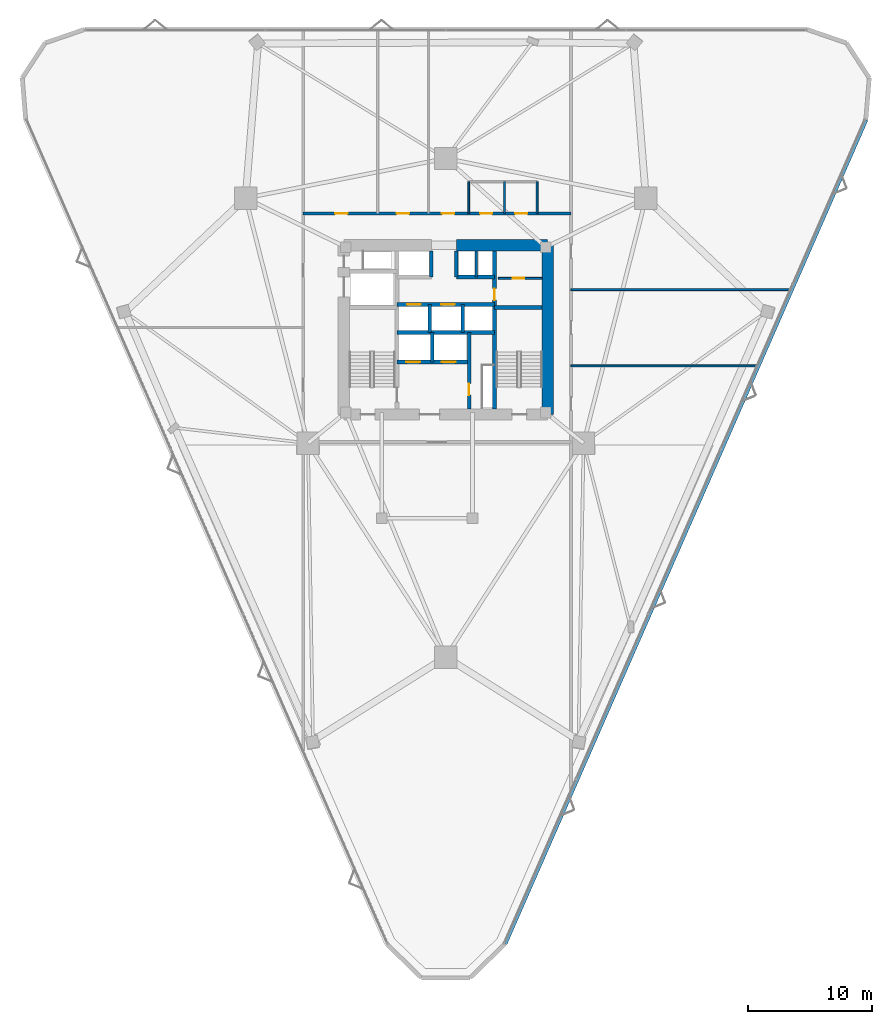
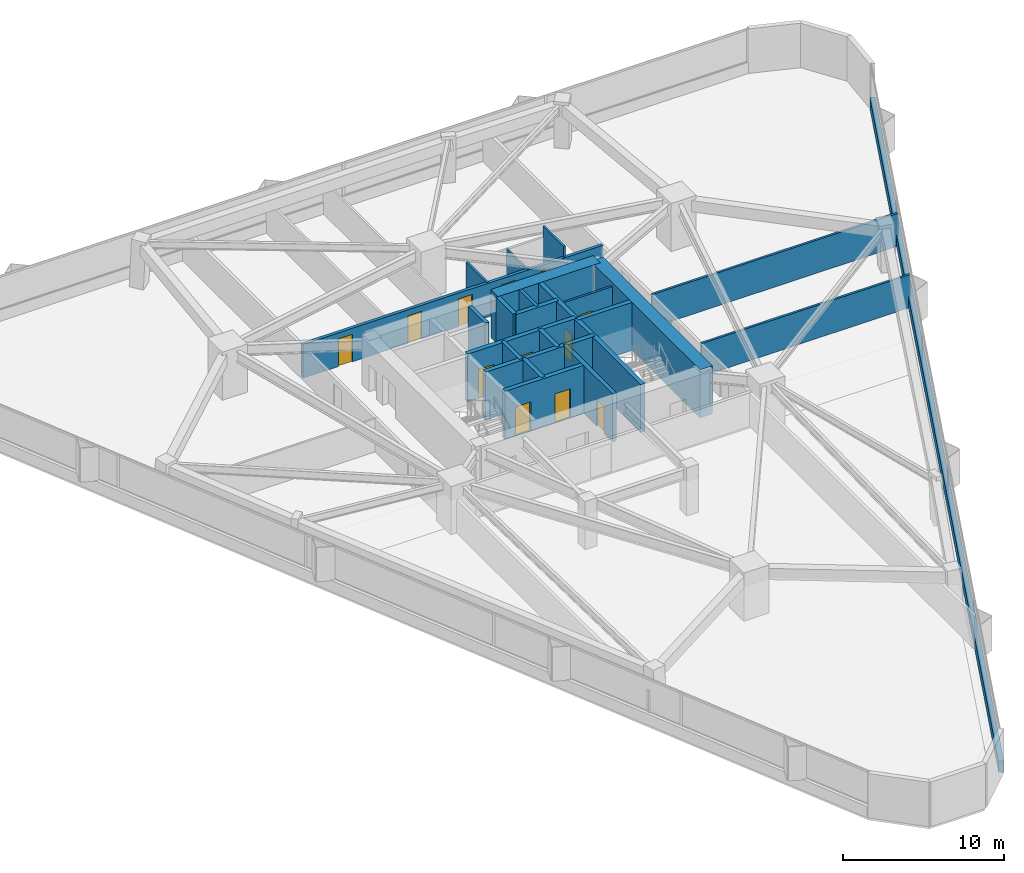
# One storey, part 18 of 21: 23 walls, 12 doors, 12 openings.
"""IFC4 building model written with IfcOpenShell, lengths in metres."""

from ifc_helpers import new_model, si_unit, direction, frame, frame_2d, origin, place, context, subcontext, project, spatial, rectangle, extrude, material, layer, layer_set, type_object, element, fill, save


model = new_model("IFC4")

# Units and contexts
model_context = context("Model", 3, precision=1e-05, world=origin(), true_north=direction((0.0, 1.0)))
body_context = subcontext(model_context, "Body", "Model", "MODEL_VIEW")
ifc_project = project(units=[si_unit("LENGTHUNIT", "METRE"), si_unit("AREAUNIT", "SQUARE_METRE"), si_unit("VOLUMEUNIT", "CUBIC_METRE"), si_unit("PLANEANGLEUNIT", "RADIAN"), si_unit("MASSUNIT", "GRAM", prefix="KILO")], contexts=[model_context])

# Site, building, storey
site_placement = place(None, origin())
site = spatial("IfcSite", under=ifc_project, at=site_placement, CompositionType="ELEMENT")
building_placement = place(site_placement, origin())
building = spatial("IfcBuilding", under=site, at=building_placement, Name="Talyreon Biosciences Tower", CompositionType="ELEMENT")
storey_placement = place(building_placement, frame((0.0, 0.0, 33.75)))
storey = spatial("IfcBuildingStorey", under=building, at=storey_placement, Name="L08", CompositionType="ELEMENT", Elevation=33.75)

# Walls
ifc_material_1 = material(Name="Concrete C50/60", Category="concrete")
ifc_layer_1 = layer(ifc_material_1, 0.219970703125)
ifc_layer_set_1 = layer_set([ifc_layer_1], Name="Concrete C50/60")
wall_type_1 = type_object("IfcWallType", Name="CoreShearWall_220", PredefinedType="SHEAR", material=ifc_layer_set_1)
wall_1_placement = place(storey_placement, frame((68.4599609375, 72.25, 0.0), z_axis=(0.0, 0.0, 1.0), x_axis=(0.0, 1.0, 0.0)))
element("IfcWall", 1, at=wall_1_placement, inside=storey, type_object=wall_type_1, Name="L08 Core Shaft Wall SWPHD", PredefinedType="SHEAR", context=body_context, shape_type="SweptSolid", body=[
    extrude(rectangle(XDim=2.10009765625, YDim=0.219970703125, at=frame_2d((1.050048828125, 0.0))), origin(), (0.0, 0.0, 1.0), 3.64990234375),
])
ifc_layer_2 = layer(ifc_material_1, 0.280029296875)
ifc_layer_set_2 = layer_set([ifc_layer_2], Name="Concrete C50/60")
wall_type_2 = type_object("IfcWallType", Name="CoreShearWall_280", PredefinedType="SHEAR", material=ifc_layer_set_2)
wall_2_placement = place(storey_placement, frame((64.919921875, 65.39990234375, 0.0), z_axis=(0.0, 0.0, 1.0), x_axis=(0.0, 1.0, 0.0)))
element("IfcWall", 2, at=wall_2_placement, inside=storey, type_object=wall_type_2, Name="L08 Core Shaft Wall SWSHD1", PredefinedType="SHEAR", context=body_context, shape_type="SweptSolid", body=[
    extrude(rectangle(XDim=2.400146484375, YDim=0.280029296875, at=frame_2d((1.2001953125, 0.0))), origin(), (0.0, 0.0, 1.0), 3.64990234375),
])
for number, where, z_axis, x_axis, name in (
    (3, (64.85009765625, 72.25, 0.0), (0.0, 0.0, 1.0), (0.0, 1.0, 0.0), "L08 Core Shaft Wall SWTHW"),
    (4, (66.85009765625, 72.25, 0.0), (0.0, 0.0, 1.0), (0.0, 1.0, 0.0), "L08 Core Shaft Wall SWTHE"),
):
    element("IfcWall", number, at=place(storey_placement, frame(where, z_axis=z_axis, x_axis=x_axis)), inside=storey, type_object=wall_type_2, Name=name, PredefinedType="SHEAR", context=body_context, shape_type="SweptSolid", body=[
        extrude(rectangle(XDim=2.10009765625, YDim=0.280029296875, at=frame_2d((1.050048828125, 0.0))), origin(), (0.0, 0.0, 1.0), 3.64990234375),
    ])

# Wall, opening, door
wall_3_placement = place(storey_placement, frame((67.8798828125, 61.64990234375, 0.0), z_axis=(0.0, 0.0, 1.0), x_axis=(0.0, 1.0, 0.0)))
wall_3 = element("IfcWall", 5, at=wall_3_placement, inside=storey, type_object=wall_type_2, Name="L08 Core Shaft Wall SWFFE", PredefinedType="SHEAR", context=body_context, shape_type="SweptSolid", body=[
    extrude(rectangle(XDim=6.150146484375, YDim=0.280029296875, at=frame_2d((3.0751953125, 0.0))), origin(), (0.0, 0.0, 1.0), 3.64990234375),
])
opening_1_placement = place(wall_3_placement, frame((1.10009765625, 0.0, 0.0)))
opening_1 = element("IfcOpeningElement", 6, at=opening_1_placement, cuts=wall_3, Name="Opening DR-L08-RSE", PredefinedType="OPENING", context=body_context, shape_type="SweptSolid", body=[
    extrude(rectangle(XDim=0.919921875, YDim=2.050048828125, at=frame_2d((0.4599609375, 1.02490234375))), frame((0.0, 0.14990234375, 0.0), z_axis=(0.0, -1.0, 0.0), x_axis=(1.0, 0.0, 0.0)), (0.0, 0.0, 1.0), 0.300048828125),
])
ifc_material_2 = material(Name="Painted steel fire-rated riser door", Category="steel")
door_type_1 = type_object("IfcDoorType", Name="RiserPlantAccessDoor_920x2050", OperationType="NOTDEFINED", PredefinedType="DOOR", material=ifc_material_2)
door_1_placement = place(opening_1_placement, origin())
door_1 = element("IfcDoor", 7, at=door_1_placement, inside=storey, type_object=door_type_1, Name="L08 Core Door DR-L08-RSE", OperationType="SINGLE_SWING_RIGHT", OverallHeight=2.050048828125, OverallWidth=0.919921875, PredefinedType="DOOR", context=body_context, shape_type="SweptSolid", body=[
    extrude(rectangle(XDim=0.919921875, YDim=2.050048828125, at=frame_2d((0.4599609375, 1.02490234375))), frame((0.0, 0.02490234375, 0.0), z_axis=(0.0, -1.0, 0.0), x_axis=(1.0, 0.0, 0.0)), (0.0, 0.0, 1.0), 0.050048828125),
])
fill(opening_1, door_1)

# Walls
for number, where, z_axis, x_axis, name in (
    (8, (64.719970703125, 67.800048828125, 0.0), (0.0, 0.0, 1.0), (0.0, 1.0, 0.0), "L08 Core Shaft Wall SWPLD"),
    (9, (67.3798828125, 67.800048828125, 0.0), (0.0, 0.0, 1.0), (0.0, 1.0, 0.0), "L08 Core Shaft Wall SWPMD"),
):
    element("IfcWall", number, at=place(storey_placement, frame(where, z_axis=z_axis, x_axis=x_axis)), inside=storey, type_object=wall_type_2, Name=name, PredefinedType="SHEAR", context=body_context, shape_type="SweptSolid", body=[
        extrude(rectangle(XDim=2.25, YDim=0.280029296875, at=frame_2d((1.125, 0.0))), origin(), (0.0, 0.0, 1.0), 3.64990234375),
    ])

# Wall, opening, door
ifc_layer_3 = layer(ifc_material_1, 0.320068359375)
ifc_layer_set_3 = layer_set([ifc_layer_3], Name="Concrete C50/60")
wall_type_3 = type_object("IfcWallType", Name="CoreShearWall_320", PredefinedType="SHEAR", material=ifc_layer_set_3)
wall_4_placement = place(storey_placement, frame((69.909912109375, 61.64990234375, 0.0), z_axis=(0.0, 0.0, 1.0), x_axis=(0.0, 1.0, 0.0)))
wall_4 = element("IfcWall", 10, at=wall_4_placement, inside=storey, type_object=wall_type_3, Name="L08 Core Shaft Wall SW2W", PredefinedType="SHEAR", context=body_context, shape_type="SweptSolid", body=[
    extrude(rectangle(XDim=12.7001953125, YDim=0.320068359375, at=frame_2d((6.35009765625, 0.0))), origin(), (0.0, 0.0, 1.0), 3.64990234375),
])
opening_2_placement = place(wall_4_placement, frame((8.75, 0.0, 0.0)))
opening_2 = element("IfcOpeningElement", 11, at=opening_2_placement, cuts=wall_4, Name="Opening DR-L08-CSRV", PredefinedType="OPENING", context=body_context, shape_type="SweptSolid", body=[
    extrude(rectangle(XDim=0.919921875, YDim=2.050048828125, at=frame_2d((0.4599609375, 1.02490234375))), frame((0.0, 0.169921875, 0.0), z_axis=(0.0, -1.0, 0.0), x_axis=(1.0, 0.0, 0.0)), (0.0, 0.0, 1.0), 0.340087890625),
])
door_2_placement = place(opening_2_placement, origin())
door_2 = element("IfcDoor", 12, at=door_2_placement, inside=storey, type_object=door_type_1, Name="L08 Core Door DR-L08-CSRV", OperationType="SINGLE_SWING_RIGHT", OverallHeight=2.050048828125, OverallWidth=0.919921875, PredefinedType="DOOR", context=body_context, shape_type="SweptSolid", body=[
    extrude(rectangle(XDim=0.919921875, YDim=2.050048828125, at=frame_2d((0.4599609375, 1.02490234375))), frame((0.0, 0.02490234375, 0.0), z_axis=(0.0, -1.0, 0.0), x_axis=(1.0, 0.0, 0.0)), (0.0, 0.0, 1.0), 0.050048828125),
])
fill(opening_2, door_2)

# Walls
wall_5_placement = place(storey_placement, frame((69.909912109375, 69.81005859375, 0.0), z_axis=(0.0, 0.0, 1.0), x_axis=(1.0, 0.0, 0.0)))
element("IfcWall", 13, at=wall_5_placement, inside=storey, type_object=wall_type_3, Name="L08 Core Shaft Wall SW2N", PredefinedType="SHEAR", context=body_context, shape_type="SweptSolid", body=[
    extrude(rectangle(XDim=3.840087890625, YDim=0.320068359375, at=frame_2d((1.919921875, 0.0))), origin(), (0.0, 0.0, 1.0), 3.64990234375),
])
wall_6_placement = place(storey_placement, frame((62.090087890625, 67.800048828125, 0.0), z_axis=(0.0, 0.0, 1.0), x_axis=(1.0, 0.0, 0.0)))
element("IfcWall", 14, at=wall_6_placement, inside=storey, type_object=wall_type_3, Name="L08 Core Shaft Wall SWSHM", PredefinedType="SHEAR", context=body_context, shape_type="SweptSolid", body=[
    extrude(rectangle(XDim=7.81982421875, YDim=0.320068359375, at=frame_2d((3.909912109375, 0.0))), origin(), (0.0, 0.0, 1.0), 3.64990234375),
])

# Wall, openings, doors
wall_7_placement = place(storey_placement, frame((62.090087890625, 70.050048828125, 0.0), z_axis=(0.0, 0.0, 1.0), x_axis=(1.0, 0.0, 0.0)))
wall_7 = element("IfcWall", 15, at=wall_7_placement, inside=storey, type_object=wall_type_3, Name="L08 Core Shaft Wall SWSPN", PredefinedType="SHEAR", context=body_context, shape_type="SweptSolid", body=[
    extrude(rectangle(XDim=7.81982421875, YDim=0.320068359375, at=frame_2d((3.909912109375, 0.0))), origin(), (0.0, 0.0, 1.0), 3.64990234375),
])
opening_3_placement = place(wall_7_placement, frame((0.800048828125, 0.0, 0.0)))
opening_3 = element("IfcOpeningElement", 16, at=opening_3_placement, cuts=wall_7, Name="Opening LD-L08-PL1", PredefinedType="OPENING", context=body_context, shape_type="SweptSolid", body=[
    extrude(rectangle(XDim=1.10009765625, YDim=2.199951171875, at=frame_2d((0.550048828125, 1.10009765625))), frame((0.0, 0.169921875, 0.0), z_axis=(0.0, -1.0, 0.0), x_axis=(1.0, 0.0, 0.0)), (0.0, 0.0, 1.0), 0.340087890625),
])
opening_4_placement = place(wall_7_placement, frame((3.550048828125, 0.0, 0.0)))
opening_4 = element("IfcOpeningElement", 17, at=opening_4_placement, cuts=wall_7, Name="Opening LD-L08-PL2", PredefinedType="OPENING", context=body_context, shape_type="SweptSolid", body=[
    extrude(rectangle(XDim=1.10009765625, YDim=2.199951171875, at=frame_2d((0.550048828125, 1.10009765625))), frame((0.0, 0.169921875, 0.0), z_axis=(0.0, -1.0, 0.0), x_axis=(1.0, 0.0, 0.0)), (0.0, 0.0, 1.0), 0.340087890625),
])
ifc_material_3 = material(Name="Brushed stainless-steel lift landing door", Category="steel")
door_type_2 = type_object("IfcDoorType", Name="LiftSlidingLandingDoor_1100x2200", OperationType="SLIDING_TO_LEFT", PredefinedType="DOOR", material=ifc_material_3)
door_3_placement = place(opening_3_placement, origin())
door_3 = element("IfcDoor", 18, at=door_3_placement, inside=storey, type_object=door_type_2, Name="L08 Core Door LD-L08-PL1", OperationType="SLIDING_TO_LEFT", OverallHeight=2.199951171875, OverallWidth=1.10009765625, PredefinedType="DOOR", context=body_context, shape_type="SweptSolid", body=[
    extrude(rectangle(XDim=1.10009765625, YDim=2.199951171875, at=frame_2d((0.550048828125, 1.10009765625))), frame((0.0, 0.02490234375, 0.0), z_axis=(0.0, -1.0, 0.0), x_axis=(1.0, 0.0, 0.0)), (0.0, 0.0, 1.0), 0.050048828125),
])
fill(opening_3, door_3)
door_4_placement = place(opening_4_placement, origin())
door_4 = element("IfcDoor", 19, at=door_4_placement, inside=storey, type_object=door_type_2, Name="L08 Core Door LD-L08-PL2", OperationType="SLIDING_TO_LEFT", OverallHeight=2.199951171875, OverallWidth=1.10009765625, PredefinedType="DOOR", context=body_context, shape_type="SweptSolid", body=[
    extrude(rectangle(XDim=1.10009765625, YDim=2.199951171875, at=frame_2d((0.550048828125, 1.10009765625))), frame((0.0, 0.02490234375, 0.0), z_axis=(0.0, -1.0, 0.0), x_axis=(1.0, 0.0, 0.0)), (0.0, 0.0, 1.0), 0.050048828125),
])
fill(opening_4, door_4)

# Wall
wall_8_placement = place(storey_placement, frame((66.85009765625, 72.25, 0.0), z_axis=(0.0, 0.0, 1.0), x_axis=(1.0, 0.0, 0.0)))
element("IfcWall", 20, at=wall_8_placement, inside=storey, type_object=wall_type_3, Name="L08 Core Shaft Wall SWNPE", PredefinedType="SHEAR", context=body_context, shape_type="SweptSolid", body=[
    extrude(rectangle(XDim=3.059814453125, YDim=0.320068359375, at=frame_2d((1.52978515625, 0.0))), origin(), (0.0, 0.0, 1.0), 3.64990234375),
])

# Wall, openings, doors
wall_9_placement = place(storey_placement, frame((62.090087890625, 65.39990234375, 0.0), z_axis=(0.0, 0.0, 1.0), x_axis=(1.0, 0.0, 0.0)))
wall_9 = element("IfcWall", 21, at=wall_9_placement, inside=storey, type_object=wall_type_3, Name="L08 Core Shaft Wall SWFFN", PredefinedType="SHEAR", context=body_context, shape_type="SweptSolid", body=[
    extrude(rectangle(XDim=5.789794921875, YDim=0.320068359375, at=frame_2d((2.89501953125, 0.0))), origin(), (0.0, 0.0, 1.0), 3.64990234375),
])
opening_5_placement = place(wall_9_placement, frame((0.75, 0.0, 0.0)))
opening_5 = element("IfcOpeningElement", 22, at=opening_5_placement, cuts=wall_9, Name="Opening LD-L08-FL1", PredefinedType="OPENING", context=body_context, shape_type="SweptSolid", body=[
    extrude(rectangle(XDim=1.10009765625, YDim=2.199951171875, at=frame_2d((0.550048828125, 1.10009765625))), frame((0.0, 0.169921875, 0.0), z_axis=(0.0, -1.0, 0.0), x_axis=(1.0, 0.0, 0.0)), (0.0, 0.0, 1.0), 0.340087890625),
])
opening_6_placement = place(wall_9_placement, frame((3.60009765625, 0.0, 0.0)))
opening_6 = element("IfcOpeningElement", 23, at=opening_6_placement, cuts=wall_9, Name="Opening LD-L08-FL2", PredefinedType="OPENING", context=body_context, shape_type="SweptSolid", body=[
    extrude(rectangle(XDim=1.10009765625, YDim=2.199951171875, at=frame_2d((0.550048828125, 1.10009765625))), frame((0.0, 0.169921875, 0.0), z_axis=(0.0, -1.0, 0.0), x_axis=(1.0, 0.0, 0.0)), (0.0, 0.0, 1.0), 0.340087890625),
])
door_5_placement = place(opening_5_placement, origin())
door_5 = element("IfcDoor", 24, at=door_5_placement, inside=storey, type_object=door_type_2, Name="L08 Core Door LD-L08-FL1", OperationType="SLIDING_TO_LEFT", OverallHeight=2.199951171875, OverallWidth=1.10009765625, PredefinedType="DOOR", context=body_context, shape_type="SweptSolid", body=[
    extrude(rectangle(XDim=1.10009765625, YDim=2.199951171875, at=frame_2d((0.550048828125, 1.10009765625))), frame((0.0, 0.02490234375, 0.0), z_axis=(0.0, -1.0, 0.0), x_axis=(1.0, 0.0, 0.0)), (0.0, 0.0, 1.0), 0.050048828125),
])
fill(opening_5, door_5)
door_6_placement = place(opening_6_placement, origin())
door_6 = element("IfcDoor", 25, at=door_6_placement, inside=storey, type_object=door_type_2, Name="L08 Core Door LD-L08-FL2", OperationType="SLIDING_TO_LEFT", OverallHeight=2.199951171875, OverallWidth=1.10009765625, PredefinedType="DOOR", context=body_context, shape_type="SweptSolid", body=[
    extrude(rectangle(XDim=1.10009765625, YDim=2.199951171875, at=frame_2d((0.550048828125, 1.10009765625))), frame((0.0, 0.02490234375, 0.0), z_axis=(0.0, -1.0, 0.0), x_axis=(1.0, 0.0, 0.0)), (0.0, 0.0, 1.0), 0.050048828125),
])
fill(opening_6, door_6)

# Walls
ifc_material_4 = material(Name="Concrete C60/75", Category="concrete")
ifc_layer_4 = layer(ifc_material_4, 0.89990234375)
ifc_layer_set_4 = layer_set([ifc_layer_4], Name="Concrete C60/75")
wall_type_4 = type_object("IfcWallType", Name="CoreShearWall_900", PredefinedType="SHEAR", material=ifc_layer_set_4)
wall_10_placement = place(storey_placement, frame((74.199951171875, 61.199951171875, 0.0), z_axis=(0.0, 0.0, 1.0), x_axis=(0.0, 1.0, 0.0)))
element("IfcWall", 26, at=wall_10_placement, inside=storey, type_object=wall_type_4, Name="L08 Core Shear Wall E", PredefinedType="SHEAR", context=body_context, shape_type="SweptSolid", body=[
    extrude(rectangle(XDim=13.60009765625, YDim=0.89990234375, at=frame_2d((6.800048828125, 0.0))), origin(), (0.0, 0.0, 1.0), 3.64990234375),
])
wall_11_placement = place(storey_placement, frame((74.199951171875, 74.800048828125, 0.0), z_axis=(0.0, 0.0, 1.0), x_axis=(-1.0, 0.0, 0.0)))
element("IfcWall", 27, at=wall_11_placement, inside=storey, type_object=wall_type_4, Name="L08 Core Shear Wall NE", PredefinedType="SHEAR", context=body_context, shape_type="SweptSolid", body=[
    extrude(rectangle(XDim=7.349853515625, YDim=0.89990234375, at=frame_2d((3.6748046875, 0.0))), origin(), (0.0, 0.0, 1.0), 3.64990234375),
])

# Wall, openings, doors
ifc_material_5 = material(Name="Gypsum fireboard acoustic stud", Category="gypsum")
ifc_layer_5 = layer(ifc_material_5, 0.219970703125)
ifc_layer_set_5 = layer_set([ifc_layer_5], Name="Gypsum fireboard acoustic stud")
wall_type_5 = type_object("IfcWallType", Name="CorridorRatedPartition_220", PredefinedType="PARTITIONING", material=ifc_layer_set_5)
wall_12_placement = place(storey_placement, frame((54.530029296875, 77.3701171875, 0.0), z_axis=(0.0, 0.0, 1.0), x_axis=(1.0, 0.0, 0.0)))
wall_12 = element("IfcWall", 28, at=wall_12_placement, inside=storey, type_object=wall_type_5, Name="L08 Interior Wall IW-L08-COR-N", PredefinedType="PARTITIONING", context=body_context, shape_type="SweptSolid", body=[
    extrude(rectangle(XDim=21.5400390625, YDim=0.219970703125, at=frame_2d((10.77001953125, 0.0))), origin(), (0.0, 0.0, 1.0), 2.554931640625),
])
opening_7_placement = place(wall_12_placement, frame((14.22998046875, 0.0, 0.0)))
opening_7 = element("IfcOpeningElement", 29, at=opening_7_placement, cuts=wall_12, Name="Opening DR-L08-WC", PredefinedType="OPENING", context=body_context, shape_type="SweptSolid", body=[
    extrude(rectangle(XDim=0.97998046875, YDim=2.10009765625, at=frame_2d((0.489990234375, 1.050048828125))), frame((0.0, 0.119873046875, 0.0), z_axis=(0.0, -1.0, 0.0), x_axis=(1.0, 0.0, 0.0)), (0.0, 0.0, 1.0), 0.239990234375),
])
opening_8_placement = place(wall_12_placement, frame((17.054931640625, 0.0, 0.0)))
opening_8 = element("IfcOpeningElement", 30, at=opening_8_placement, cuts=wall_12, Name="Opening DR-L08-AWC", PredefinedType="OPENING", context=body_context, shape_type="SweptSolid", body=[
    extrude(rectangle(XDim=0.97998046875, YDim=2.10009765625, at=frame_2d((0.489990234375, 1.050048828125))), frame((0.0, 0.119873046875, 0.0), z_axis=(0.0, -1.0, 0.0), x_axis=(1.0, 0.0, 0.0)), (0.0, 0.0, 1.0), 0.239990234375),
])
opening_9_placement = place(wall_12_placement, frame((2.56494140625, 0.0, 0.0)))
opening_9 = element("IfcOpeningElement", 31, at=opening_9_placement, cuts=wall_12, Name="Opening DR-L08-N1A", PredefinedType="OPENING", context=body_context, shape_type="SweptSolid", body=[
    extrude(rectangle(XDim=1.0, YDim=2.10009765625, at=frame_2d((0.5, 1.050048828125))), frame((0.0, 0.119873046875, 0.0), z_axis=(0.0, -1.0, 0.0), x_axis=(1.0, 0.0, 0.0)), (0.0, 0.0, 1.0), 0.239990234375),
])
opening_10_placement = place(wall_12_placement, frame((7.52490234375, 0.0, 0.0)))
opening_10 = element("IfcOpeningElement", 32, at=opening_10_placement, cuts=wall_12, Name="Opening DR-L08-N2A", PredefinedType="OPENING", context=body_context, shape_type="SweptSolid", body=[
    extrude(rectangle(XDim=1.0, YDim=2.10009765625, at=frame_2d((0.5, 1.050048828125))), frame((0.0, 0.119873046875, 0.0), z_axis=(0.0, -1.0, 0.0), x_axis=(1.0, 0.0, 0.0)), (0.0, 0.0, 1.0), 0.239990234375),
])
opening_11_placement = place(wall_12_placement, frame((11.155029296875, 0.0, 0.0)))
opening_11 = element("IfcOpeningElement", 33, at=opening_11_placement, cuts=wall_12, Name="Opening DR-L08-N3A", PredefinedType="OPENING", context=body_context, shape_type="SweptSolid", body=[
    extrude(rectangle(XDim=1.0, YDim=2.10009765625, at=frame_2d((0.5, 1.050048828125))), frame((0.0, 0.119873046875, 0.0), z_axis=(0.0, -1.0, 0.0), x_axis=(1.0, 0.0, 0.0)), (0.0, 0.0, 1.0), 0.239990234375),
])
ifc_material_6 = material(Name="Laminate moisture-resistant door", Category="wood")
door_type_3 = type_object("IfcDoorType", Name="AccessibleToiletDoor_980x2100", OperationType="NOTDEFINED", PredefinedType="DOOR", material=ifc_material_6)
door_7_placement = place(opening_7_placement, origin())
door_7 = element("IfcDoor", 34, at=door_7_placement, inside=storey, type_object=door_type_3, Name="L08 Interior Door DR-L08-WC", OperationType="SINGLE_SWING_RIGHT", OverallHeight=2.10009765625, OverallWidth=0.97998046875, PredefinedType="DOOR", context=body_context, shape_type="SweptSolid", body=[
    extrude(rectangle(XDim=0.97998046875, YDim=2.10009765625, at=frame_2d((0.489990234375, 1.050048828125))), frame((0.0, 0.02490234375, 0.0), z_axis=(0.0, -1.0, 0.0), x_axis=(1.0, 0.0, 0.0)), (0.0, 0.0, 1.0), 0.050048828125),
])
fill(opening_7, door_7)
door_8_placement = place(opening_8_placement, origin())
door_8 = element("IfcDoor", 35, at=door_8_placement, inside=storey, type_object=door_type_3, Name="L08 Interior Door DR-L08-AWC", OperationType="SINGLE_SWING_RIGHT", OverallHeight=2.10009765625, OverallWidth=0.97998046875, PredefinedType="DOOR", context=body_context, shape_type="SweptSolid", body=[
    extrude(rectangle(XDim=0.97998046875, YDim=2.10009765625, at=frame_2d((0.489990234375, 1.050048828125))), frame((0.0, 0.02490234375, 0.0), z_axis=(0.0, -1.0, 0.0), x_axis=(1.0, 0.0, 0.0)), (0.0, 0.0, 1.0), 0.050048828125),
])
fill(opening_8, door_8)
ifc_material_7 = material(Name="Acoustic oak veneer office door", Category="wood")
door_type_4 = type_object("IfcDoorType", Name="WriteupOfficeDoor_1000x2100", OperationType="NOTDEFINED", PredefinedType="DOOR", material=ifc_material_7)
door_9_placement = place(opening_9_placement, origin())
door_9 = element("IfcDoor", 36, at=door_9_placement, inside=storey, type_object=door_type_4, Name="L08 Interior Door DR-L08-N1A", OperationType="SINGLE_SWING_RIGHT", OverallHeight=2.10009765625, OverallWidth=1.0, PredefinedType="DOOR", context=body_context, shape_type="SweptSolid", body=[
    extrude(rectangle(XDim=1.0, YDim=2.10009765625, at=frame_2d((0.5, 1.050048828125))), frame((0.0, 0.02490234375, 0.0), z_axis=(0.0, -1.0, 0.0), x_axis=(1.0, 0.0, 0.0)), (0.0, 0.0, 1.0), 0.050048828125),
])
fill(opening_9, door_9)
door_10_placement = place(opening_10_placement, origin())
door_10 = element("IfcDoor", 37, at=door_10_placement, inside=storey, type_object=door_type_4, Name="L08 Interior Door DR-L08-N2A", OperationType="SINGLE_SWING_LEFT", OverallHeight=2.10009765625, OverallWidth=1.0, PredefinedType="DOOR", context=body_context, shape_type="SweptSolid", body=[
    extrude(rectangle(XDim=1.0, YDim=2.10009765625, at=frame_2d((0.5, 1.050048828125))), frame((0.0, 0.02490234375, 0.0), z_axis=(0.0, -1.0, 0.0), x_axis=(1.0, 0.0, 0.0)), (0.0, 0.0, 1.0), 0.050048828125),
])
fill(opening_10, door_10)
door_11_placement = place(opening_11_placement, origin())
door_11 = element("IfcDoor", 38, at=door_11_placement, inside=storey, type_object=door_type_4, Name="L08 Interior Door DR-L08-N3A", OperationType="SINGLE_SWING_RIGHT", OverallHeight=2.10009765625, OverallWidth=1.0, PredefinedType="DOOR", context=body_context, shape_type="SweptSolid", body=[
    extrude(rectangle(XDim=1.0, YDim=2.10009765625, at=frame_2d((0.5, 1.050048828125))), frame((0.0, 0.02490234375, 0.0), z_axis=(0.0, -1.0, 0.0), x_axis=(1.0, 0.0, 0.0)), (0.0, 0.0, 1.0), 0.050048828125),
])
fill(opening_11, door_11)

# Wall, opening, door
ifc_material_8 = material(Name="Gypsum acoustic stud partition", Category="gypsum")
ifc_layer_6 = layer(ifc_material_8, 0.159912109375)
ifc_layer_set_6 = layer_set([ifc_layer_6], Name="Gypsum acoustic stud partition")
wall_type_6 = type_object("IfcWallType", Name="LabSeparationPartition_160", PredefinedType="PARTITIONING", material=ifc_layer_set_6)
wall_13_placement = place(storey_placement, frame((70.22998046875, 72.14990234375, 0.0), z_axis=(0.0, 0.0, 1.0), x_axis=(1.0, 0.0, 0.0)))
wall_13 = element("IfcWall", 39, at=wall_13_placement, inside=storey, type_object=wall_type_6, Name="L08 Interior Wall IW-L08-CSRV-H", PredefinedType="PARTITIONING", context=body_context, shape_type="SweptSolid", body=[
    extrude(rectangle(XDim=3.52001953125, YDim=0.159912109375, at=frame_2d((1.760009765625, 0.0))), origin(), (0.0, 0.0, 1.0), 3.375),
])
opening_12_placement = place(wall_13_placement, frame((1.14990234375, 0.0, 0.0)))
opening_12 = element("IfcOpeningElement", 40, at=opening_12_placement, cuts=wall_13, Name="Opening DR-L08-CSRV-I", PredefinedType="OPENING", context=body_context, shape_type="SweptSolid", body=[
    extrude(rectangle(XDim=0.919921875, YDim=2.050048828125, at=frame_2d((0.4599609375, 1.02490234375))), frame((0.0, 0.08984375, 0.0), z_axis=(0.0, -1.0, 0.0), x_axis=(1.0, 0.0, 0.0)), (0.0, 0.0, 1.0), 0.179931640625),
])
door_12_placement = place(opening_12_placement, origin())
door_12 = element("IfcDoor", 41, at=door_12_placement, inside=storey, type_object=door_type_1, Name="L08 Interior Door DR-L08-CSRV-I", OperationType="SINGLE_SWING_LEFT", OverallHeight=2.050048828125, OverallWidth=0.919921875, PredefinedType="DOOR", context=body_context, shape_type="SweptSolid", body=[
    extrude(rectangle(XDim=0.919921875, YDim=2.050048828125, at=frame_2d((0.4599609375, 1.02490234375))), frame((0.0, 0.02490234375, 0.0), z_axis=(0.0, -1.0, 0.0), x_axis=(1.0, 0.0, 0.0)), (0.0, 0.0, 1.0), 0.050048828125),
])
fill(opening_12, door_12)

# Walls
wall_14_placement = place(storey_placement, frame((76.070068359375, 65.110107421875, 0.0), z_axis=(0.0, 0.0, 1.0), x_axis=(1.0, 0.0, 0.0)))
element("IfcWall", 42, at=wall_14_placement, inside=storey, type_object=wall_type_6, Name="L08 Interior Wall IW-L08-EDIV1", PredefinedType="PARTITIONING", context=body_context, shape_type="SweptSolid", body=[
    extrude(rectangle(XDim=14.977294921875, YDim=0.159912109375, at=frame_2d((7.48876953125, 0.0))), origin(), (0.0, 0.0, 1.0), 2.5048828125),
])
wall_15_placement = place(storey_placement, frame((76.070068359375, 71.239990234375, 0.0), z_axis=(0.0, 0.0, 1.0), x_axis=(1.0, 0.0, 0.0)))
element("IfcWall", 43, at=wall_15_placement, inside=storey, type_object=wall_type_6, Name="L08 Interior Wall IW-L08-EDIV2", PredefinedType="PARTITIONING", context=body_context, shape_type="SweptSolid", body=[
    extrude(rectangle(XDim=17.662353515625, YDim=0.159912109375, at=frame_2d((8.8310546875, 0.0))), origin(), (0.0, 0.0, 1.0), 2.5048828125),
])
ifc_material_9 = material(Name="Precast concrete C45/55", Category="concrete")
ifc_layer_7 = layer(ifc_material_9, 0.340087890625)
ifc_layer_set_7 = layer_set([ifc_layer_7], Name="Precast concrete C45/55")
wall_type_7 = type_object("IfcWallType", Name="PrecastConcreteSpandrelWall_340", PredefinedType="STANDARD", material=ifc_layer_set_7)
wall_16_placement = place(storey_placement, frame((99.80908203125, 84.901123046875, 0.0), z_axis=(0.0, 0.0, 1.0), x_axis=(-0.40122003264, -0.915981705826, 0.0)))
element("IfcWall", 44, at=wall_16_placement, inside=storey, type_object=wall_type_7, Name="L08 Expressed Concrete Sill Wall 08", PredefinedType="STANDARD", context=body_context, shape_type="SweptSolid", body=[
    extrude(rectangle(XDim=72.39404296875, YDim=0.340087890625, at=frame_2d((36.197021484375, 0.0))), origin(), (0.0, 0.0, 1.0), 0.85009765625),
])
ifc_material_10 = material(Name="Moisture-resistant cement-board stud", Category="gypsum")
ifc_layer_8 = layer(ifc_material_10, 0.14501953125)
ifc_layer_set_8 = layer_set([ifc_layer_8], Name="Moisture-resistant cement-board stud")
wall_type_8 = type_object("IfcWallType", Name="WetRoomPartition_145", PredefinedType="PARTITIONING", material=ifc_layer_set_8)
for number, where, z_axis, x_axis, name in (
    (45, (67.85009765625, 77.3701171875, 0.0), (0.0, 0.0, 1.0), (0.0, 1.0, 0.0), "L08 Interior Wall IW-L08-WCL"),
    (46, (70.72509765625, 77.3701171875, 0.0), (0.0, 0.0, 1.0), (0.0, 1.0, 0.0), "L08 Interior Wall IW-L08-WCM"),
):
    element("IfcWall", number, at=place(storey_placement, frame(where, z_axis=z_axis, x_axis=x_axis)), inside=storey, type_object=wall_type_8, Name=name, PredefinedType="PARTITIONING", context=body_context, shape_type="SweptSolid", body=[
        extrude(rectangle(XDim=2.5498046875, YDim=0.14501953125, at=frame_2d((1.27490234375, 0.0))), origin(), (0.0, 0.0, 1.0), 2.554931640625),
    ])
wall_17_placement = place(storey_placement, frame((73.35009765625, 77.3701171875, 0.0), z_axis=(0.0, 0.0, 1.0), x_axis=(0.0, 1.0, 0.0)))
element("IfcWall", 47, at=wall_17_placement, inside=storey, type_object=wall_type_8, Name="L08 Interior Wall IW-L08-WCR", PredefinedType="PARTITIONING", context=body_context, shape_type="SweptSolid", body=[
    extrude(rectangle(XDim=2.5498046875, YDim=0.14501953125, at=frame_2d((1.27490234375, 0.0))), origin(), (0.0, 0.0, 1.0), 3.375),
])

save(model, "model.ifc")
